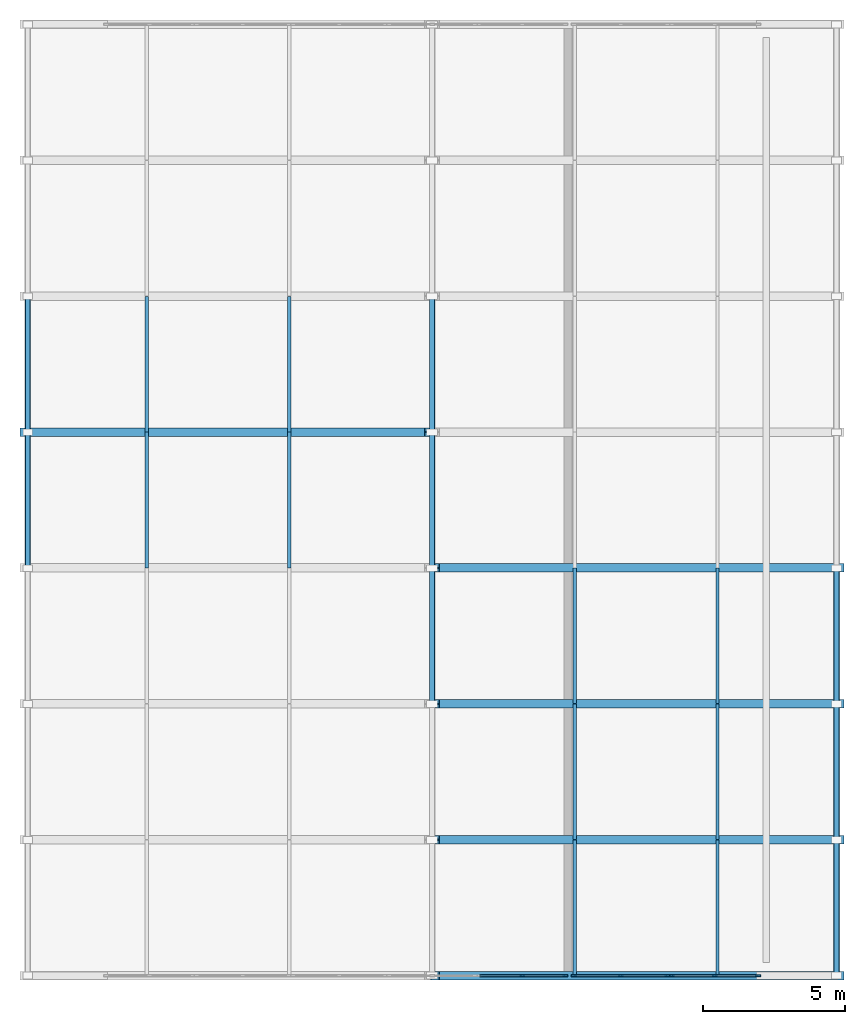
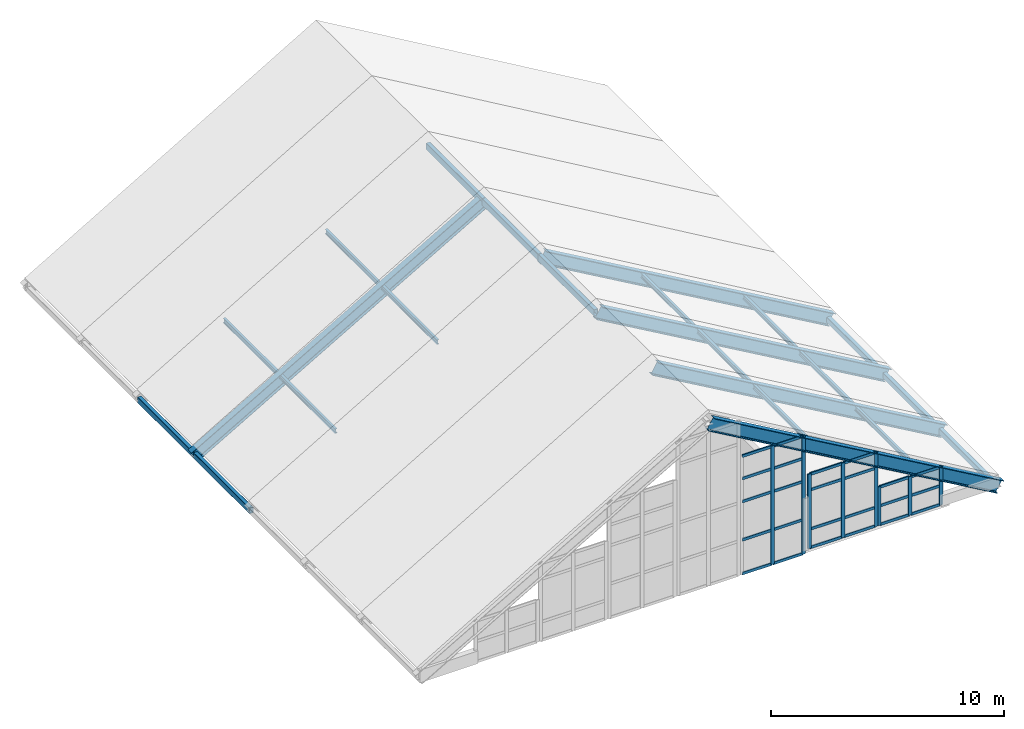
# One storey, part 2 of 7: 55 members, 3 elements without a shape of their own.
"""IFC4 building model written with IfcOpenShell, lengths in metres."""

from ifc_helpers import new_model, si_unit, direction, frame, origin, origin_2d, place, context, subcontext, project, spatial, rectangle, hollow_rectangle, i_section, extrude, material, layer, layer_set, material_profile, profile_set, type_object, element, aggregate, save


model = new_model("IFC4")

# Units and contexts
model_context = context("Model", 3, precision=1e-05, world=origin(), true_north=direction((0.0, 1.0)))
body_context = subcontext(model_context, "Body", "Model", "MODEL_VIEW")
ifc_project = project(units=[si_unit("LENGTHUNIT", "METRE"), si_unit("AREAUNIT", "SQUARE_METRE"), si_unit("VOLUMEUNIT", "CUBIC_METRE"), si_unit("PLANEANGLEUNIT", "RADIAN"), si_unit("MASSUNIT", "GRAM", prefix="KILO")], contexts=[model_context])

# Site, building, storey
site_placement = place(None, origin())
site = spatial("IfcSite", under=ifc_project, at=site_placement, CompositionType="ELEMENT")
building_placement = place(site_placement, origin())
building = spatial("IfcBuilding", under=site, at=building_placement, Name="Nordkorset Police Headquarters", CompositionType="ELEMENT")
storey_placement = place(building_placement, frame((0.0, 0.0, 36.050048828125)))
storey = spatial("IfcBuildingStorey", under=building, at=storey_placement, Name="RF", CompositionType="ELEMENT", Elevation=36.050048828125)

# Curtain wall, members
ifc_material_1 = material(Name="Aluminium alloy AW-6060", Category="aluminium")
ifc_layer_1 = layer(ifc_material_1, 0.179931640625, Name="Aluminium alloy AW-6060")
ifc_layer_set_1 = layer_set([ifc_layer_1], Name="Aluminium alloy AW-6060")
curtain_wall_type_1 = type_object("IfcCurtainWallType", Name="CW_Unit_312x620", PredefinedType="USERDEFINED", material=ifc_layer_set_1)
curtain_wall_1_placement = place(storey_placement, origin())
curtain_wall_1 = element("IfcCurtainWall", 1, at=curtain_wall_1_placement, inside=storey, type_object=curtain_wall_type_1, Name="Unitised Curtain Wall RF V1GBL-S-G5", ObjectType="UNITISED CURTAIN WALL", PredefinedType="USERDEFINED")
ifc_material_2 = material(Name="Aluminium alloy AW-6060", Category="aluminium")
ifc_material_profile_1 = material_profile(ifc_material_2, rectangle(XDim=0.06494140625, YDim=0.179931640625, at=origin_2d()), Name="ALU MULL 65x180")
ifc_profile_set_1 = profile_set([ifc_material_profile_1], Name="Aluminium alloy AW-6060")
member_type_1 = type_object("IfcMemberType", Name="CW_Mullion_65x180", PredefinedType="MULLION", material=ifc_profile_set_1)
member_1_placement = place(storey_placement, frame((17.580078125, 83.199951171875, -0.18994140625), z_axis=(0.0, 0.0, 1.0), x_axis=(0.0, 1.0, 0.0)))
member_1 = element("IfcMember", 2, at=member_1_placement, type_object=member_type_1, Name="CW-44 mullion 2", PredefinedType="MULLION", context=body_context, shape_type="SweptSolid", body=[
    extrude(rectangle(XDim=0.06494140625, YDim=0.179931640625, at=origin_2d()), origin(), (0.0, 0.0, 1.0), 6.20166015625),
])
member_2_placement = place(storey_placement, frame((19.107421875, 83.199951171875, -0.18994140625), z_axis=(0.0, 0.0, 1.0), x_axis=(0.0, 1.0, 0.0)))
member_2 = element("IfcMember", 3, at=member_2_placement, type_object=member_type_1, Name="CW-44 mullion 3", PredefinedType="MULLION", context=body_context, shape_type="SweptSolid", body=[
    extrude(rectangle(XDim=0.06494140625, YDim=0.179931640625, at=origin_2d()), origin(), (0.0, 0.0, 1.0), 6.20166015625),
])

ifc_material_3 = material(Name="Aluminium alloy AW-6060", Category="aluminium")
ifc_layer_2 = layer(ifc_material_3, 0.179931640625, Name="Aluminium alloy AW-6060")
ifc_layer_set_2 = layer_set([ifc_layer_2], Name="Aluminium alloy AW-6060")
curtain_wall_type_2 = type_object("IfcCurtainWallType", Name="CW_Unit_336x390", PredefinedType="USERDEFINED", material=ifc_layer_set_2)
curtain_wall_2_placement = place(storey_placement, origin())
curtain_wall_2 = element("IfcCurtainWall", 4, at=curtain_wall_2_placement, inside=storey, type_object=curtain_wall_type_2, Name="Unitised Curtain Wall RF V1GBL-S-G6", ObjectType="UNITISED CURTAIN WALL", PredefinedType="USERDEFINED")
member_3_placement = place(storey_placement, frame((19.41259765625, 83.199951171875, 0.0), z_axis=(0.0, 0.0, 1.0), x_axis=(0.0, 1.0, 0.0)))
member_3 = element("IfcMember", 5, at=member_3_placement, type_object=member_type_1, Name="CW-62 mullion 1", PredefinedType="MULLION", context=body_context, shape_type="SweptSolid", body=[
    extrude(rectangle(XDim=0.06494140625, YDim=0.179931640625, at=origin_2d()), origin(), (0.0, 0.0, 1.0), 3.899169921875),
])
member_4_placement = place(storey_placement, frame((21.06005859375, 83.199951171875, 0.0), z_axis=(0.0, 0.0, 1.0), x_axis=(0.0, 1.0, 0.0)))
member_4 = element("IfcMember", 6, at=member_4_placement, type_object=member_type_1, Name="CW-62 mullion 2", PredefinedType="MULLION", context=body_context, shape_type="SweptSolid", body=[
    extrude(rectangle(XDim=0.06494140625, YDim=0.179931640625, at=origin_2d()), origin(), (0.0, 0.0, 1.0), 3.899169921875),
])
member_5_placement = place(storey_placement, frame((22.70751953125, 83.199951171875, 0.0), z_axis=(0.0, 0.0, 1.0), x_axis=(0.0, 1.0, 0.0)))
member_5 = element("IfcMember", 7, at=member_5_placement, type_object=member_type_1, Name="CW-62 mullion 3", PredefinedType="MULLION", context=body_context, shape_type="SweptSolid", body=[
    extrude(rectangle(XDim=0.06494140625, YDim=0.179931640625, at=origin_2d()), origin(), (0.0, 0.0, 1.0), 3.899169921875),
])

ifc_material_4 = material(Name="Aluminium alloy AW-6060", Category="aluminium")
ifc_layer_3 = layer(ifc_material_4, 0.179931640625, Name="Aluminium alloy AW-6060")
ifc_layer_set_3 = layer_set([ifc_layer_3], Name="Aluminium alloy AW-6060")
curtain_wall_type_3 = type_object("IfcCurtainWallType", Name="CW_Unit_312x202", PredefinedType="USERDEFINED", material=ifc_layer_set_3)
curtain_wall_3_placement = place(storey_placement, origin())
curtain_wall_3 = element("IfcCurtainWall", 8, at=curtain_wall_3_placement, inside=storey, type_object=curtain_wall_type_3, Name="Unitised Curtain Wall RF V1GBL-S-G7", ObjectType="UNITISED CURTAIN WALL", PredefinedType="USERDEFINED")
member_6_placement = place(storey_placement, frame((22.8525390625, 83.199951171875, 0.0), z_axis=(0.0, 0.0, 1.0), x_axis=(0.0, 1.0, 0.0)))
member_6 = element("IfcMember", 9, at=member_6_placement, type_object=member_type_1, Name="CW-27 mullion 1", PredefinedType="MULLION", context=body_context, shape_type="SweptSolid", body=[
    extrude(rectangle(XDim=0.06494140625, YDim=0.179931640625, at=origin_2d()), origin(), (0.0, 0.0, 1.0), 2.021484375),
])
member_7_placement = place(storey_placement, frame((24.3798828125, 83.199951171875, 0.0), z_axis=(0.0, 0.0, 1.0), x_axis=(0.0, 1.0, 0.0)))
member_7 = element("IfcMember", 10, at=member_7_placement, type_object=member_type_1, Name="CW-27 mullion 2", PredefinedType="MULLION", context=body_context, shape_type="SweptSolid", body=[
    extrude(rectangle(XDim=0.06494140625, YDim=0.179931640625, at=origin_2d()), origin(), (0.0, 0.0, 1.0), 2.021484375),
])
member_8_placement = place(storey_placement, frame((25.907470703125, 83.199951171875, 0.0), z_axis=(0.0, 0.0, 1.0), x_axis=(0.0, 1.0, 0.0)))
member_8 = element("IfcMember", 11, at=member_8_placement, type_object=member_type_1, Name="CW-27 mullion 3", PredefinedType="MULLION", context=body_context, shape_type="SweptSolid", body=[
    extrude(rectangle(XDim=0.06494140625, YDim=0.179931640625, at=origin_2d()), origin(), (0.0, 0.0, 1.0), 2.021484375),
])

# Member
ifc_material_5 = material(Name="Aluminium alloy AW-6060", Category="aluminium")
ifc_material_profile_2 = material_profile(ifc_material_5, rectangle(XDim=0.06494140625, YDim=0.139892578125, at=origin_2d()), Name="ALU TRAN 65x140")
ifc_profile_set_2 = profile_set([ifc_material_profile_2], Name="Aluminium alloy AW-6060")
member_type_2 = type_object("IfcMemberType", Name="CW_Transom_65x140", PredefinedType="USERDEFINED", material=ifc_profile_set_2)
member_9_placement = place(storey_placement, frame((16.0849609375, 83.199951171875, -0.157470703125), z_axis=(1.0, 0.0, 0.0), x_axis=(0.0, 1.0, 0.0)))
member_9 = element("IfcMember", 12, at=member_9_placement, type_object=member_type_2, Name="CW-44 transom 1.1", ObjectType="TRANSOM", PredefinedType="USERDEFINED", context=body_context, shape_type="SweptSolid", body=[
    extrude(rectangle(XDim=0.06494140625, YDim=0.139892578125, at=origin_2d()), origin(), (0.0, 0.0, 1.0), 1.462646484375),
])

member_10_placement = place(storey_placement, frame((16.0849609375, 83.199951171875, 1.60986328125), z_axis=(1.0, 0.0, 0.0), x_axis=(0.0, 1.0, 0.0)))
member_10 = element("IfcMember", 13, at=member_10_placement, type_object=member_type_2, Name="CW-44 transom 1.2", ObjectType="TRANSOM", PredefinedType="USERDEFINED", context=body_context, shape_type="SweptSolid", body=[
    extrude(rectangle(XDim=0.06494140625, YDim=0.139892578125, at=origin_2d()), origin(), (0.0, 0.0, 1.0), 1.462646484375),
])

member_11_placement = place(storey_placement, frame((16.0849609375, 83.199951171875, 3.60986328125), z_axis=(1.0, 0.0, 0.0), x_axis=(0.0, 1.0, 0.0)))
member_11 = element("IfcMember", 14, at=member_11_placement, type_object=member_type_2, Name="CW-44 transom 1.3", ObjectType="TRANSOM", PredefinedType="USERDEFINED", context=body_context, shape_type="SweptSolid", body=[
    extrude(rectangle(XDim=0.06494140625, YDim=0.139892578125, at=origin_2d()), origin(), (0.0, 0.0, 1.0), 1.462646484375),
])

member_12_placement = place(storey_placement, frame((16.0849609375, 83.199951171875, 4.811767578125), z_axis=(1.0, 0.0, 0.0), x_axis=(0.0, 1.0, 0.0)))
member_12 = element("IfcMember", 15, at=member_12_placement, type_object=member_type_2, Name="CW-44 transom 1.4", ObjectType="TRANSOM", PredefinedType="USERDEFINED", context=body_context, shape_type="SweptSolid", body=[
    extrude(rectangle(XDim=0.06494140625, YDim=0.139892578125, at=origin_2d()), origin(), (0.0, 0.0, 1.0), 1.462646484375),
])

member_13_placement = place(storey_placement, frame((16.0849609375, 83.199951171875, 5.979248046875), z_axis=(1.0, 0.0, 0.0), x_axis=(0.0, 1.0, 0.0)))
member_13 = element("IfcMember", 16, at=member_13_placement, type_object=member_type_2, Name="CW-44 transom 1.5", ObjectType="TRANSOM", PredefinedType="USERDEFINED", context=body_context, shape_type="SweptSolid", body=[
    extrude(rectangle(XDim=0.06494140625, YDim=0.139892578125, at=origin_2d()), origin(), (0.0, 0.0, 1.0), 1.462646484375),
])

member_14_placement = place(storey_placement, frame((17.612548828125, 83.199951171875, -0.157470703125), z_axis=(1.0, 0.0, 0.0), x_axis=(0.0, 1.0, 0.0)))
member_14 = element("IfcMember", 17, at=member_14_placement, type_object=member_type_2, Name="CW-44 transom 2.1", ObjectType="TRANSOM", PredefinedType="USERDEFINED", context=body_context, shape_type="SweptSolid", body=[
    extrude(rectangle(XDim=0.06494140625, YDim=0.139892578125, at=origin_2d()), origin(), (0.0, 0.0, 1.0), 1.46240234375),
])

member_15_placement = place(storey_placement, frame((17.612548828125, 83.199951171875, 1.60986328125), z_axis=(1.0, 0.0, 0.0), x_axis=(0.0, 1.0, 0.0)))
member_15 = element("IfcMember", 18, at=member_15_placement, type_object=member_type_2, Name="CW-44 transom 2.2", ObjectType="TRANSOM", PredefinedType="USERDEFINED", context=body_context, shape_type="SweptSolid", body=[
    extrude(rectangle(XDim=0.06494140625, YDim=0.139892578125, at=origin_2d()), origin(), (0.0, 0.0, 1.0), 1.46240234375),
])

member_16_placement = place(storey_placement, frame((17.612548828125, 83.199951171875, 3.60986328125), z_axis=(1.0, 0.0, 0.0), x_axis=(0.0, 1.0, 0.0)))
member_16 = element("IfcMember", 19, at=member_16_placement, type_object=member_type_2, Name="CW-44 transom 2.3", ObjectType="TRANSOM", PredefinedType="USERDEFINED", context=body_context, shape_type="SweptSolid", body=[
    extrude(rectangle(XDim=0.06494140625, YDim=0.139892578125, at=origin_2d()), origin(), (0.0, 0.0, 1.0), 1.46240234375),
])

member_17_placement = place(storey_placement, frame((17.612548828125, 83.199951171875, 4.811767578125), z_axis=(1.0, 0.0, 0.0), x_axis=(0.0, 1.0, 0.0)))
member_17 = element("IfcMember", 20, at=member_17_placement, type_object=member_type_2, Name="CW-44 transom 2.4", ObjectType="TRANSOM", PredefinedType="USERDEFINED", context=body_context, shape_type="SweptSolid", body=[
    extrude(rectangle(XDim=0.06494140625, YDim=0.139892578125, at=origin_2d()), origin(), (0.0, 0.0, 1.0), 1.46240234375),
])

member_18_placement = place(storey_placement, frame((17.612548828125, 83.199951171875, 5.979248046875), z_axis=(1.0, 0.0, 0.0), x_axis=(0.0, 1.0, 0.0)))
member_18 = element("IfcMember", 21, at=member_18_placement, type_object=member_type_2, Name="CW-44 transom 2.5", ObjectType="TRANSOM", PredefinedType="USERDEFINED", context=body_context, shape_type="SweptSolid", body=[
    extrude(rectangle(XDim=0.06494140625, YDim=0.139892578125, at=origin_2d()), origin(), (0.0, 0.0, 1.0), 1.46240234375),
])

aggregate(curtain_wall_1, [member_1, member_2, member_9, member_10, member_11, member_12, member_13, member_14, member_15, member_16, member_17, member_18])

member_19_placement = place(storey_placement, frame((19.445068359375, 83.199951171875, 0.032470703125), z_axis=(1.0, 0.0, 0.0), x_axis=(0.0, 1.0, 0.0)))
member_19 = element("IfcMember", 22, at=member_19_placement, type_object=member_type_2, Name="CW-62 transom 1.1", ObjectType="TRANSOM", PredefinedType="USERDEFINED", context=body_context, shape_type="SweptSolid", body=[
    extrude(rectangle(XDim=0.06494140625, YDim=0.139892578125, at=origin_2d()), origin(), (0.0, 0.0, 1.0), 1.58251953125),
])

member_20_placement = place(storey_placement, frame((19.445068359375, 83.199951171875, 1.0), z_axis=(1.0, 0.0, 0.0), x_axis=(0.0, 1.0, 0.0)))
member_20 = element("IfcMember", 23, at=member_20_placement, type_object=member_type_2, Name="CW-62 transom 1.2", ObjectType="TRANSOM", PredefinedType="USERDEFINED", context=body_context, shape_type="SweptSolid", body=[
    extrude(rectangle(XDim=0.06494140625, YDim=0.139892578125, at=origin_2d()), origin(), (0.0, 0.0, 1.0), 1.58251953125),
])

member_21_placement = place(storey_placement, frame((19.445068359375, 83.199951171875, 3.04931640625), z_axis=(1.0, 0.0, 0.0), x_axis=(0.0, 1.0, 0.0)))
member_21 = element("IfcMember", 24, at=member_21_placement, type_object=member_type_2, Name="CW-62 transom 1.3", ObjectType="TRANSOM", PredefinedType="USERDEFINED", context=body_context, shape_type="SweptSolid", body=[
    extrude(rectangle(XDim=0.06494140625, YDim=0.139892578125, at=origin_2d()), origin(), (0.0, 0.0, 1.0), 1.58251953125),
])

member_22_placement = place(storey_placement, frame((19.445068359375, 83.199951171875, 3.86669921875), z_axis=(1.0, 0.0, 0.0), x_axis=(0.0, 1.0, 0.0)))
member_22 = element("IfcMember", 25, at=member_22_placement, type_object=member_type_2, Name="CW-62 transom 1.4", ObjectType="TRANSOM", PredefinedType="USERDEFINED", context=body_context, shape_type="SweptSolid", body=[
    extrude(rectangle(XDim=0.06494140625, YDim=0.139892578125, at=origin_2d()), origin(), (0.0, 0.0, 1.0), 1.58251953125),
])

member_23_placement = place(storey_placement, frame((21.092529296875, 83.199951171875, 0.032470703125), z_axis=(1.0, 0.0, 0.0), x_axis=(0.0, 1.0, 0.0)))
member_23 = element("IfcMember", 26, at=member_23_placement, type_object=member_type_2, Name="CW-62 transom 2.1", ObjectType="TRANSOM", PredefinedType="USERDEFINED", context=body_context, shape_type="SweptSolid", body=[
    extrude(rectangle(XDim=0.06494140625, YDim=0.139892578125, at=origin_2d()), origin(), (0.0, 0.0, 1.0), 1.58251953125),
])

member_24_placement = place(storey_placement, frame((21.092529296875, 83.199951171875, 1.0), z_axis=(1.0, 0.0, 0.0), x_axis=(0.0, 1.0, 0.0)))
member_24 = element("IfcMember", 27, at=member_24_placement, type_object=member_type_2, Name="CW-62 transom 2.2", ObjectType="TRANSOM", PredefinedType="USERDEFINED", context=body_context, shape_type="SweptSolid", body=[
    extrude(rectangle(XDim=0.06494140625, YDim=0.139892578125, at=origin_2d()), origin(), (0.0, 0.0, 1.0), 1.58251953125),
])

member_25_placement = place(storey_placement, frame((21.092529296875, 83.199951171875, 3.04931640625), z_axis=(1.0, 0.0, 0.0), x_axis=(0.0, 1.0, 0.0)))
member_25 = element("IfcMember", 28, at=member_25_placement, type_object=member_type_2, Name="CW-62 transom 2.3", ObjectType="TRANSOM", PredefinedType="USERDEFINED", context=body_context, shape_type="SweptSolid", body=[
    extrude(rectangle(XDim=0.06494140625, YDim=0.139892578125, at=origin_2d()), origin(), (0.0, 0.0, 1.0), 1.58251953125),
])

member_26_placement = place(storey_placement, frame((21.092529296875, 83.199951171875, 3.86669921875), z_axis=(1.0, 0.0, 0.0), x_axis=(0.0, 1.0, 0.0)))
member_26 = element("IfcMember", 29, at=member_26_placement, type_object=member_type_2, Name="CW-62 transom 2.4", ObjectType="TRANSOM", PredefinedType="USERDEFINED", context=body_context, shape_type="SweptSolid", body=[
    extrude(rectangle(XDim=0.06494140625, YDim=0.139892578125, at=origin_2d()), origin(), (0.0, 0.0, 1.0), 1.58251953125),
])

aggregate(curtain_wall_2, [member_3, member_4, member_5, member_19, member_20, member_21, member_22, member_23, member_24, member_25, member_26])

member_27_placement = place(storey_placement, frame((22.885009765625, 83.199951171875, 0.032470703125), z_axis=(1.0, 0.0, 0.0), x_axis=(0.0, 1.0, 0.0)))
member_27 = element("IfcMember", 30, at=member_27_placement, type_object=member_type_2, Name="CW-27 transom 1.1", ObjectType="TRANSOM", PredefinedType="USERDEFINED", context=body_context, shape_type="SweptSolid", body=[
    extrude(rectangle(XDim=0.06494140625, YDim=0.139892578125, at=origin_2d()), origin(), (0.0, 0.0, 1.0), 1.46240234375),
])

member_28_placement = place(storey_placement, frame((22.885009765625, 83.199951171875, 1.0107421875), z_axis=(1.0, 0.0, 0.0), x_axis=(0.0, 1.0, 0.0)))
member_28 = element("IfcMember", 31, at=member_28_placement, type_object=member_type_2, Name="CW-27 transom 1.2", ObjectType="TRANSOM", PredefinedType="USERDEFINED", context=body_context, shape_type="SweptSolid", body=[
    extrude(rectangle(XDim=0.06494140625, YDim=0.139892578125, at=origin_2d()), origin(), (0.0, 0.0, 1.0), 1.46240234375),
])

member_29_placement = place(storey_placement, frame((22.885009765625, 83.199951171875, 1.989013671875), z_axis=(1.0, 0.0, 0.0), x_axis=(0.0, 1.0, 0.0)))
member_29 = element("IfcMember", 32, at=member_29_placement, type_object=member_type_2, Name="CW-27 transom 1.3", ObjectType="TRANSOM", PredefinedType="USERDEFINED", context=body_context, shape_type="SweptSolid", body=[
    extrude(rectangle(XDim=0.06494140625, YDim=0.139892578125, at=origin_2d()), origin(), (0.0, 0.0, 1.0), 1.46240234375),
])

member_30_placement = place(storey_placement, frame((24.41259765625, 83.199951171875, 0.032470703125), z_axis=(1.0, 0.0, 0.0), x_axis=(0.0, 1.0, 0.0)))
member_30 = element("IfcMember", 33, at=member_30_placement, type_object=member_type_2, Name="CW-27 transom 2.1", ObjectType="TRANSOM", PredefinedType="USERDEFINED", context=body_context, shape_type="SweptSolid", body=[
    extrude(rectangle(XDim=0.06494140625, YDim=0.139892578125, at=origin_2d()), origin(), (0.0, 0.0, 1.0), 1.46240234375),
])

member_31_placement = place(storey_placement, frame((24.41259765625, 83.199951171875, 1.0107421875), z_axis=(1.0, 0.0, 0.0), x_axis=(0.0, 1.0, 0.0)))
member_31 = element("IfcMember", 34, at=member_31_placement, type_object=member_type_2, Name="CW-27 transom 2.2", ObjectType="TRANSOM", PredefinedType="USERDEFINED", context=body_context, shape_type="SweptSolid", body=[
    extrude(rectangle(XDim=0.06494140625, YDim=0.139892578125, at=origin_2d()), origin(), (0.0, 0.0, 1.0), 1.46240234375),
])

member_32_placement = place(storey_placement, frame((24.41259765625, 83.199951171875, 1.989013671875), z_axis=(1.0, 0.0, 0.0), x_axis=(0.0, 1.0, 0.0)))
member_32 = element("IfcMember", 35, at=member_32_placement, type_object=member_type_2, Name="CW-27 transom 2.3", ObjectType="TRANSOM", PredefinedType="USERDEFINED", context=body_context, shape_type="SweptSolid", body=[
    extrude(rectangle(XDim=0.06494140625, YDim=0.139892578125, at=origin_2d()), origin(), (0.0, 0.0, 1.0), 1.46240234375),
])

aggregate(curtain_wall_3, [member_6, member_7, member_8, member_27, member_28, member_29, member_30, member_31, member_32])

# Members
ifc_material_6 = material(Name="Steel S355J2", Category="steel")
ifc_material_profile_3 = material_profile(ifc_material_6, hollow_rectangle(XDim=0.199951171875, YDim=0.300048828125, WallThickness=0.012451171875, InnerFilletRadius=0.012451171875, OuterFilletRadius=0.02490234375, at=origin_2d()), Name="RHS 300x200x12.5")
ifc_profile_set_3 = profile_set([ifc_material_profile_3], Name="Steel S355J2")
member_type_3 = type_object("IfcMemberType", Name="Chord_RHS_300x200x12.5", PredefinedType="CHORD", material=ifc_profile_set_3)
for number, where, z_axis, x_axis, name in (
    (36, (28.679931640625, 83.20703125, -0.010009765625), (0.0, 1.0, 0.0), (-1.0, 0.0, 0.0), "Folded-Plate Roof Eaves Chord E Bay 1"),
    (37, (28.679931640625, 88.007080078125, -0.010009765625), (0.0, 1.0, 0.0), (-1.0, 0.0, 0.0), "Folded-Plate Roof Eaves Chord E Bay 2"),
):
    element("IfcMember", number, at=place(storey_placement, frame(where, z_axis=z_axis, x_axis=x_axis)), inside=storey, type_object=member_type_3, Name=name, PredefinedType="CHORD", context=body_context, shape_type="SweptSolid", body=[
        extrude(hollow_rectangle(XDim=0.199951171875, YDim=0.300048828125, WallThickness=0.012451171875, InnerFilletRadius=0.012451171875, OuterFilletRadius=0.02490234375, at=origin_2d()), origin(), (0.0, 0.0, 1.0), 4.785888671875),
    ])
for number, where, z_axis, x_axis, name in (
    (38, (28.679931640625, 92.806884765625, -0.010009765625), (0.0, 1.0, 0.0), (-1.0, 0.0, 0.0), "Folded-Plate Roof Eaves Chord E Bay 3"),
    (39, (0.1201171875, 97.60693359375, -0.010009765625), (0.0, 1.0, 0.0), (-1.0, 0.0, 0.0), "Folded-Plate Roof Eaves Chord W Bay 4"),
    (40, (0.1201171875, 102.406982421875, -0.010009765625), (0.0, 1.0, 0.0), (-1.0, 0.0, 0.0), "Folded-Plate Roof Eaves Chord W Bay 5"),
):
    element("IfcMember", number, at=place(storey_placement, frame(where, z_axis=z_axis, x_axis=x_axis)), inside=storey, type_object=member_type_3, Name=name, PredefinedType="CHORD", context=body_context, shape_type="SweptSolid", body=[
        extrude(hollow_rectangle(XDim=0.199951171875, YDim=0.300048828125, WallThickness=0.012451171875, InnerFilletRadius=0.012451171875, OuterFilletRadius=0.02490234375, at=origin_2d()), origin(), (0.0, 0.0, 1.0), 4.7861328125),
    ])
ifc_material_7 = material(Name="Steel S355J2", Category="steel")
ifc_material_profile_4 = material_profile(ifc_material_7, hollow_rectangle(XDim=0.199951171875, YDim=0.35009765625, WallThickness=0.012451171875, InnerFilletRadius=0.012451171875, OuterFilletRadius=0.02490234375, at=origin_2d()), Name="RHS 350x200x12.5")
ifc_profile_set_4 = profile_set([ifc_material_profile_4], Name="Steel S355J2")
member_type_4 = type_object("IfcMemberType", Name="Chord_RHS_350x200x12.5", PredefinedType="CHORD", material=ifc_profile_set_4)
for number, where, z_axis, x_axis, name in (
    (41, (14.39990234375, 92.806884765625, 8.25), (0.0, 1.0, 0.0), (-1.0, 0.0, 0.0), "Folded-Plate Roof Ridge Chord Bay 3"),
    (42, (14.39990234375, 97.60693359375, 8.25), (0.0, 1.0, 0.0), (-1.0, 0.0, 0.0), "Folded-Plate Roof Ridge Chord Bay 4"),
    (43, (14.39990234375, 102.406982421875, 8.25), (0.0, 1.0, 0.0), (-1.0, 0.0, 0.0), "Folded-Plate Roof Ridge Chord Bay 5"),
):
    element("IfcMember", number, at=place(storey_placement, frame(where, z_axis=z_axis, x_axis=x_axis)), inside=storey, type_object=member_type_4, Name=name, PredefinedType="CHORD", context=body_context, shape_type="SweptSolid", body=[
        extrude(hollow_rectangle(XDim=0.199951171875, YDim=0.35009765625, WallThickness=0.012451171875, InnerFilletRadius=0.012451171875, OuterFilletRadius=0.02490234375, at=origin_2d()), origin(), (0.0, 0.0, 1.0), 4.7861328125),
    ])
ifc_material_8 = material(Name="Steel S355J2", Category="steel")
ifc_material_profile_5 = material_profile(ifc_material_8, i_section(OverallWidth=0.1201171875, OverallDepth=0.239990234375, WebThickness=0.006103515625, FlangeThickness=0.009765625, FilletRadius=0.014892578125, at=origin_2d()), Name="IPE 240")
ifc_profile_set_5 = profile_set([ifc_material_profile_5], Name="Steel S355J2")
member_type_5 = type_object("IfcMemberType", Name="Purlin_IPE_240", PredefinedType="PURLIN", material=ifc_profile_set_5)
for number, where, z_axis, x_axis, name in (
    (44, (24.47998046875, 83.20703125, 2.66796875), (0.0, 1.0, 0.0), (-1.0, 0.0, 0.0), "Folded-Plate Roof Purlin E Bay 1"),
    (45, (19.43994140625, 83.20703125, 5.558837890625), (0.0, 1.0, 0.0), (-1.0, 0.0, 0.0), "Folded-Plate Roof Purlin E Bay 1"),
    (46, (24.47998046875, 88.007080078125, 2.66796875), (0.0, 1.0, 0.0), (-1.0, 0.0, 0.0), "Folded-Plate Roof Purlin E Bay 2"),
    (47, (19.43994140625, 88.007080078125, 5.558837890625), (0.0, 1.0, 0.0), (-1.0, 0.0, 0.0), "Folded-Plate Roof Purlin E Bay 2"),
):
    element("IfcMember", number, at=place(storey_placement, frame(where, z_axis=z_axis, x_axis=x_axis)), inside=storey, type_object=member_type_5, Name=name, PredefinedType="PURLIN", context=body_context, shape_type="SweptSolid", body=[
        extrude(i_section(OverallWidth=0.1201171875, OverallDepth=0.239990234375, WebThickness=0.006103515625, FlangeThickness=0.009765625, FilletRadius=0.014892578125, at=origin_2d()), origin(), (0.0, 0.0, 1.0), 4.785888671875),
    ])
for number, where, z_axis, x_axis, name in (
    (48, (24.47998046875, 92.806884765625, 2.66796875), (0.0, 1.0, 0.0), (-1.0, 0.0, 0.0), "Folded-Plate Roof Purlin E Bay 3"),
    (49, (19.43994140625, 92.806884765625, 5.558837890625), (0.0, 1.0, 0.0), (-1.0, 0.0, 0.0), "Folded-Plate Roof Purlin E Bay 3"),
    (50, (4.320068359375, 97.60693359375, 2.66796875), (0.0, 1.0, 0.0), (-1.0, 0.0, 0.0), "Folded-Plate Roof Purlin W Bay 4"),
    (51, (9.360107421875, 97.60693359375, 5.558837890625), (0.0, 1.0, 0.0), (-1.0, 0.0, 0.0), "Folded-Plate Roof Purlin W Bay 4"),
    (52, (4.320068359375, 102.406982421875, 2.66796875), (0.0, 1.0, 0.0), (-1.0, 0.0, 0.0), "Folded-Plate Roof Purlin W Bay 5"),
    (53, (9.360107421875, 102.406982421875, 5.558837890625), (0.0, 1.0, 0.0), (-1.0, 0.0, 0.0), "Folded-Plate Roof Purlin W Bay 5"),
):
    element("IfcMember", number, at=place(storey_placement, frame(where, z_axis=z_axis, x_axis=x_axis)), inside=storey, type_object=member_type_5, Name=name, PredefinedType="PURLIN", context=body_context, shape_type="SweptSolid", body=[
        extrude(i_section(OverallWidth=0.1201171875, OverallDepth=0.239990234375, WebThickness=0.006103515625, FlangeThickness=0.009765625, FilletRadius=0.014892578125, at=origin_2d()), origin(), (0.0, 0.0, 1.0), 4.7861328125),
    ])
ifc_material_9 = material(Name="Steel S355J2", Category="steel")
ifc_material_profile_6 = material_profile(ifc_material_9, i_section(OverallWidth=0.300048828125, OverallDepth=0.639892578125, WebThickness=0.013427734375, FlangeThickness=0.02587890625, FilletRadius=0.027099609375, at=origin_2d()), Name="HEA 650")
ifc_profile_set_6 = profile_set([ifc_material_profile_6], Name="Steel S355J2")
member_type_6 = type_object("IfcMemberType", Name="Rafter_HEA_650", PredefinedType="RAFTER", material=ifc_profile_set_6)
for number, where, z_axis, x_axis, name in (
    (54, (28.7919921875, 83.199951171875, -0.010009765625), (-0.865801712235, 0.0, 0.500387245132), (0.0, -1.0, 0.0), "Folded-Plate Roof Rafter East 1"),
    (55, (28.7919921875, 88.0, -0.010009765625), (-0.865801712235, 0.0, 0.500387245132), (0.0, -1.0, 0.0), "Folded-Plate Roof Rafter East 2"),
    (56, (28.7919921875, 92.800048828125, -0.010009765625), (-0.865801712235, 0.0, 0.500387245132), (0.0, -1.0, 0.0), "Folded-Plate Roof Rafter East 3"),
    (57, (28.7919921875, 97.60009765625, -0.010009765625), (-0.865801712235, 0.0, 0.500387245132), (0.0, -1.0, 0.0), "Folded-Plate Roof Rafter East 4"),
    (58, (0.008056640625, 102.39990234375, -0.010009765625), (0.865801712235, 0.0, 0.500387245132), (0.0, 1.0, 0.0), "Folded-Plate Roof Rafter West 5"),
):
    element("IfcMember", number, at=place(storey_placement, frame(where, z_axis=z_axis, x_axis=x_axis)), inside=storey, type_object=member_type_6, Name=name, PredefinedType="RAFTER", context=body_context, shape_type="SweptSolid", body=[
        extrude(i_section(OverallWidth=0.300048828125, OverallDepth=0.639892578125, WebThickness=0.013427734375, FlangeThickness=0.02587890625, FilletRadius=0.027099609375, at=origin_2d()), origin(), (0.0, 0.0, 1.0), 16.50732421875),
    ])

save(model, "model.ifc")
